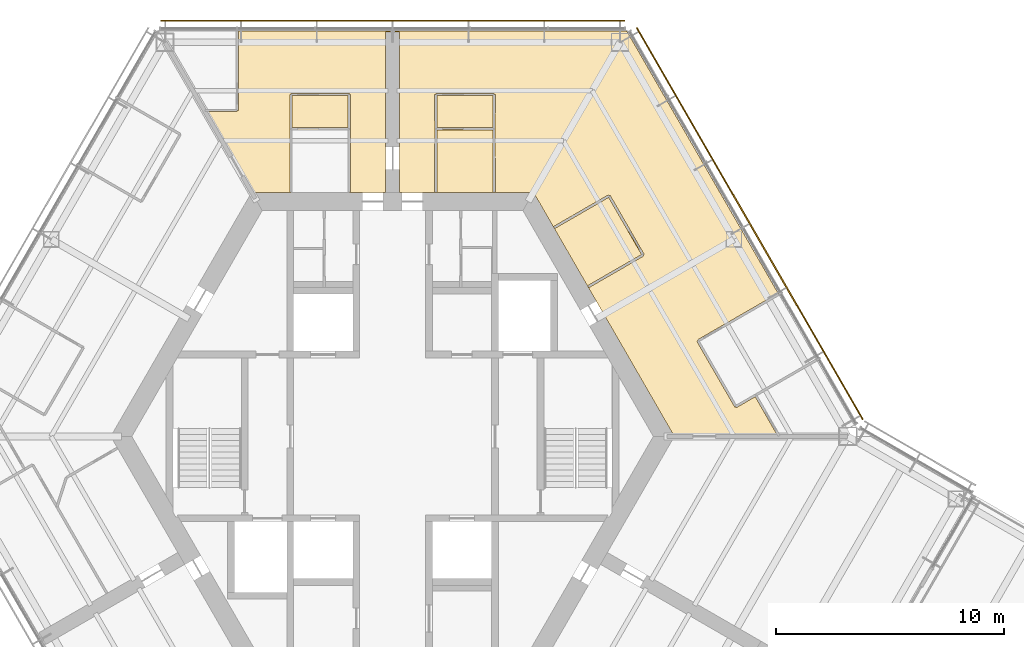
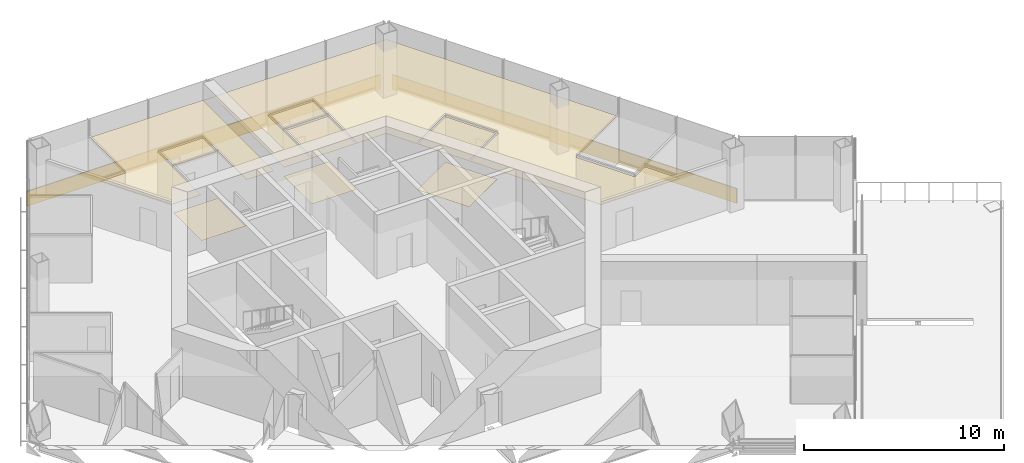
# One storey, part 13 of 13: 9 coverings, 2 shading devices.
"""IFC4 building model written with IfcOpenShell, lengths in metres."""

from ifc_helpers import new_model, si_unit, direction, frame, origin, origin_2d, place, context, subcontext, project, spatial, polyline, rectangle, outline, extrude, material, layer, layer_set, type_object, element, save


model = new_model("IFC4")

# Units and contexts
model_context = context("Model", 3, precision=1e-05, world=origin(), true_north=direction((0.0, 1.0)))
body_context = subcontext(model_context, "Body", "Model", "MODEL_VIEW")
ifc_project = project(units=[si_unit("LENGTHUNIT", "METRE"), si_unit("AREAUNIT", "SQUARE_METRE"), si_unit("VOLUMEUNIT", "CUBIC_METRE"), si_unit("PLANEANGLEUNIT", "RADIAN"), si_unit("MASSUNIT", "GRAM", prefix="KILO")], contexts=[model_context])

# Site, building, storey
site_placement = place(None, origin())
site = spatial("IfcSite", under=ifc_project, at=site_placement, CompositionType="ELEMENT")
building_placement = place(site_placement, origin())
building = spatial("IfcBuilding", under=site, at=building_placement, Name="Kasaneha Research Tower", CompositionType="ELEMENT")
storey_placement = place(building_placement, frame((0.0, 0.0, 267.39990234375)))
storey = spatial("IfcBuildingStorey", under=building, at=storey_placement, Name="L67", CompositionType="ELEMENT", Elevation=267.39990234375)

# Coverings
ifc_material_1 = material(Name="Gypsum ceiling board", Category="gypsum")
ifc_layer_1 = layer(ifc_material_1, 0.02001953125)
ifc_layer_set_1 = layer_set([ifc_layer_1], Name="Suspended ceiling 20")
covering_type_1 = type_object("IfcCoveringType", Name="Suspended ceiling 20", PredefinedType="CEILING", material=ifc_layer_set_1)
covering_1_placement = place(storey_placement, frame((0.0, 0.0, 2.800048828125)))
element("IfcCovering", 1, at=covering_1_placement, inside=storey, type_object=covering_type_1, Name="Ceiling L67-26", PredefinedType="CEILING", context=body_context, shape_type="SweptSolid", body=[
    extrude(outline(polyline([(1.89990234375, 10.72509765625), (1.89990234375, 10.7451171875), (1.949951171875, 10.744873046875), (1.95458984375, 13.469970703125), (4.410400390625, 13.469970703125), (4.4150390625, 10.744873046875), (4.465087890625, 10.7451171875), (4.465087890625, 10.72509765625), (1.89990234375, 10.72509765625)])), origin(), (0.0, 0.0, 1.0), 0.02001953125),
])
covering_2_placement = place(storey_placement, frame((0.0, 0.0, 2.800048828125)))
element("IfcCovering", 2, at=covering_2_placement, inside=storey, type_object=covering_type_1, Name="Ceiling L67-27", PredefinedType="CEILING", context=body_context, shape_type="SweptSolid", body=[
    extrude(outline(polyline([(1.9501953125, 14.97509765625), (4.414794921875, 14.97509765625), (4.410400390625, 13.570068359375), (1.954345703125, 13.570068359375), (1.9501953125, 14.97509765625)])), origin(), (0.0, 0.0, 1.0), 0.02001953125),
])
covering_3_placement = place(storey_placement, frame((0.0, 0.0, 2.800048828125)))
element("IfcCovering", 3, at=covering_3_placement, inside=storey, type_object=covering_type_1, Name="Ceiling L67-28", PredefinedType="CEILING", context=body_context, shape_type="SweptSolid", body=[
    extrude(outline(polyline([(7.088134765625, 9.173095703125), (7.10546875, 9.18310546875), (7.13037109375, 9.1396484375), (9.49462890625, 10.504638671875), (10.944580078125, 7.9931640625), (8.580322265625, 6.628173828125), (8.60546875, 6.5849609375), (8.588134765625, 6.574951171875), (7.088134765625, 9.173095703125)])), origin(), (0.0, 0.0, 1.0), 0.02001953125),
])
covering_4_placement = place(storey_placement, frame((0.0, 0.0, 2.800048828125)))
element("IfcCovering", 4, at=covering_4_placement, inside=storey, type_object=covering_type_1, Name="Ceiling L67-31", PredefinedType="CEILING", context=body_context, shape_type="SweptSolid", body=[
    extrude(outline(polyline([(8.605712890625, 6.58447265625), (8.63037109375, 6.54150390625), (11.0380859375, 7.931640625), (11.01318359375, 7.974609375), (11.013427734375, 7.974853515625), (11.013427734375, 7.97509765625), (11.056396484375, 8.0), (9.556396484375, 10.597900390625), (9.513427734375, 10.5732421875), (9.513427734375, 10.573486328125), (9.512939453125, 10.5732421875), (9.488037109375, 10.6162109375), (7.080322265625, 9.226318359375), (7.105224609375, 9.183349609375), (7.087890625, 9.17333984375), (6.192138671875, 10.72509765625), (4.465576171875, 10.72509765625), (4.465576171875, 10.7451171875), (4.514892578125, 10.7451171875), (4.51025390625, 13.52490234375), (4.514892578125, 15.02490234375), (4.465087890625, 15.02490234375), (4.465087890625, 15.025390625), (4.465087890625, 15.074951171875), (1.89990234375, 15.074951171875), (1.89990234375, 15.025390625), (1.899658203125, 15.025390625), (1.899658203125, 15.02490234375), (1.85009765625, 15.02490234375), (1.8544921875, 13.52490234375), (1.85009765625, 10.7451171875), (1.8994140625, 10.7451171875), (1.8994140625, 10.72509765625), (0.300048828125, 10.72509765625), (0.300048828125, 11.72509765625), (0.300048828125, 12.72509765625), (0.300048828125, 17.7705078125), (0.300048828125, 17.7705078125), (0.0, 17.7705078125), (0.0, 17.820556640625), (10.28857421875, 17.820556640625), (16.971435546875, 6.24560546875), (16.962890625, 6.24072265625), (16.93798828125, 6.283447265625), (13.39599609375, 4.238525390625), (13.4208984375, 4.1953125), (13.42041015625, 4.195068359375), (13.420654296875, 4.195068359375), (13.377685546875, 4.170166015625), (15.043212890625, 1.285400390625), (15.0859375, 1.310302734375), (15.086181640625, 1.31005859375), (15.08642578125, 1.310546875), (15.111572265625, 1.26708984375), (15.93798828125, 1.744384765625), (16.93994140625, 0.0), (12.38427734375, 0.0), (8.58837890625, 6.574462890625), (8.605712890625, 6.58447265625)])), origin(), (0.0, 0.0, 1.0), 0.02001953125),
])
covering_5_placement = place(storey_placement, frame((0.0, 0.0, 2.800048828125)))
element("IfcCovering", 5, at=covering_5_placement, inside=storey, type_object=covering_type_1, Name="Ceiling L67-33", PredefinedType="CEILING", context=body_context, shape_type="SweptSolid", body=[
    extrude(outline(polyline([(-1.95458984375, 13.570068359375), (-4.41064453125, 13.570068359375), (-4.414794921875, 14.97509765625), (-1.9501953125, 14.97509765625), (-1.95458984375, 13.570068359375)])), origin(), (0.0, 0.0, 1.0), 0.02001953125),
])
covering_6_placement = place(storey_placement, frame((0.0, 0.0, 2.800048828125)))
element("IfcCovering", 6, at=covering_6_placement, inside=storey, type_object=covering_type_1, Name="Ceiling L67-35", PredefinedType="CEILING", context=body_context, shape_type="SweptSolid", body=[
    extrude(outline(polyline([(-0.300048828125, 11.72509765625), (-0.300048828125, 10.72509765625), (-1.8994140625, 10.72509765625), (-1.8994140625, 10.7451171875), (-1.85009765625, 10.7451171875), (-1.854736328125, 13.52490234375), (-1.85009765625, 15.02490234375), (-1.89990234375, 15.02490234375), (-1.89990234375, 15.025390625), (-1.89990234375, 15.074951171875), (-4.465087890625, 15.074951171875), (-4.465087890625, 15.025390625), (-4.46533203125, 15.025390625), (-4.46533203125, 15.02490234375), (-4.514892578125, 15.02490234375), (-4.510498046875, 13.52490234375), (-4.514892578125, 10.7451171875), (-4.465576171875, 10.7451171875), (-4.465576171875, 10.72509765625), (-6.192138671875, 10.72509765625), (-8.239013671875, 14.2705078125), (-6.830810546875, 14.2705078125), (-6.830810546875, 14.3203125), (-6.83056640625, 14.3203125), (-6.83056640625, 14.320556640625), (-6.781005859375, 14.320556640625), (-6.781005859375, 17.800537109375), (-6.830322265625, 17.800537109375), (-6.830322265625, 17.820556640625), (0.0, 17.820556640625), (0.0, 17.7705078125), (-0.300048828125, 17.7705078125), (-0.300048828125, 17.7705078125), (-0.300048828125, 12.72509765625), (-0.300048828125, 11.72509765625)])), origin(), (0.0, 0.0, 1.0), 0.02001953125),
])

# Shading devices
ifc_material_2 = material(Name="Terracotta", Category="masonry")
ifc_layer_2 = layer(ifc_material_2, 0.06005859375)
ifc_layer_set_2 = layer_set([ifc_layer_2], Name="Terracotta baguette screen")
shading_device_type = type_object("IfcShadingDeviceType", Name="Terracotta baguette screen", PredefinedType="USERDEFINED", material=ifc_layer_set_2)
shading_device_1_placement = place(storey_placement, frame((15.696044921875, 9.35498046875, -0.449951171875), z_axis=(0.0, 0.0, 1.0), x_axis=(-0.499999979232, 0.866025415775, 0.0)))
element("IfcShadingDevice", 7, at=shading_device_1_placement, inside=storey, type_object=shading_device_type, Name="Baguette screen L67 01", ObjectType="TERRACOTTA BAGUETTE SCREEN", PredefinedType="USERDEFINED", context=body_context, shape_type="SweptSolid", body=[
    extrude(rectangle(XDim=19.8857421875, YDim=0.06005859375, at=origin_2d()), origin(), (0.0, 0.0, 1.0), 0.89990234375),
])
shading_device_2_placement = place(storey_placement, frame((0.0, 18.2705078125, -0.449951171875), z_axis=(0.0, 0.0, 1.0), x_axis=(-1.0, 0.0, 0.0)))
element("IfcShadingDevice", 8, at=shading_device_2_placement, inside=storey, type_object=shading_device_type, Name="Baguette screen L67 02", ObjectType="TERRACOTTA BAGUETTE SCREEN", PredefinedType="USERDEFINED", context=body_context, shape_type="SweptSolid", body=[
    extrude(rectangle(XDim=20.392822265625, YDim=0.06005859375, at=origin_2d()), origin(), (0.0, 0.0, 1.0), 0.89990234375),
])

# Coverings
ifc_material_3 = material(Name="Vinyl sheet flooring", Category="plastic")
ifc_layer_3 = layer(ifc_material_3, 0.0048828125)
ifc_layer_set_3 = layer_set([ifc_layer_3], Name="Wet room sheet flooring 5")
covering_type_2 = type_object("IfcCoveringType", Name="Wet room sheet flooring 5", PredefinedType="FLOORING", material=ifc_layer_set_3)
covering_7_placement = place(storey_placement, origin())
element("IfcCovering", 9, at=covering_7_placement, inside=storey, type_object=covering_type_2, Name="Floor finish L67-26", PredefinedType="FLOORING", context=body_context, shape_type="SweptSolid", body=[
    extrude(outline(polyline([(4.465087890625, 13.52490234375), (4.465087890625, 10.72509765625), (1.89990234375, 10.72509765625), (1.89990234375, 13.52490234375), (4.465087890625, 13.52490234375)])), origin(), (0.0, 0.0, 1.0), 0.005126953125),
])
covering_8_placement = place(storey_placement, origin())
element("IfcCovering", 10, at=covering_8_placement, inside=storey, type_object=covering_type_2, Name="Floor finish L67-28", PredefinedType="FLOORING", context=body_context, shape_type="SweptSolid", body=[
    extrude(outline(polyline([(11.012939453125, 7.974853515625), (8.588134765625, 6.574951171875), (7.088134765625, 9.173095703125), (9.512939453125, 10.572998046875), (11.012939453125, 7.974853515625)])), origin(), (0.0, 0.0, 1.0), 0.005126953125),
])
covering_9_placement = place(storey_placement, origin())
element("IfcCovering", 11, at=covering_9_placement, inside=storey, type_object=covering_type_2, Name="Floor finish L67-32", PredefinedType="FLOORING", context=body_context, shape_type="SweptSolid", body=[
    extrude(outline(polyline([(-1.89990234375, 13.52490234375), (-1.89990234375, 10.72509765625), (-4.465087890625, 10.72509765625), (-4.465087890625, 13.52490234375), (-1.89990234375, 13.52490234375)])), origin(), (0.0, 0.0, 1.0), 0.005126953125),
])

save(model, "model.ifc")
